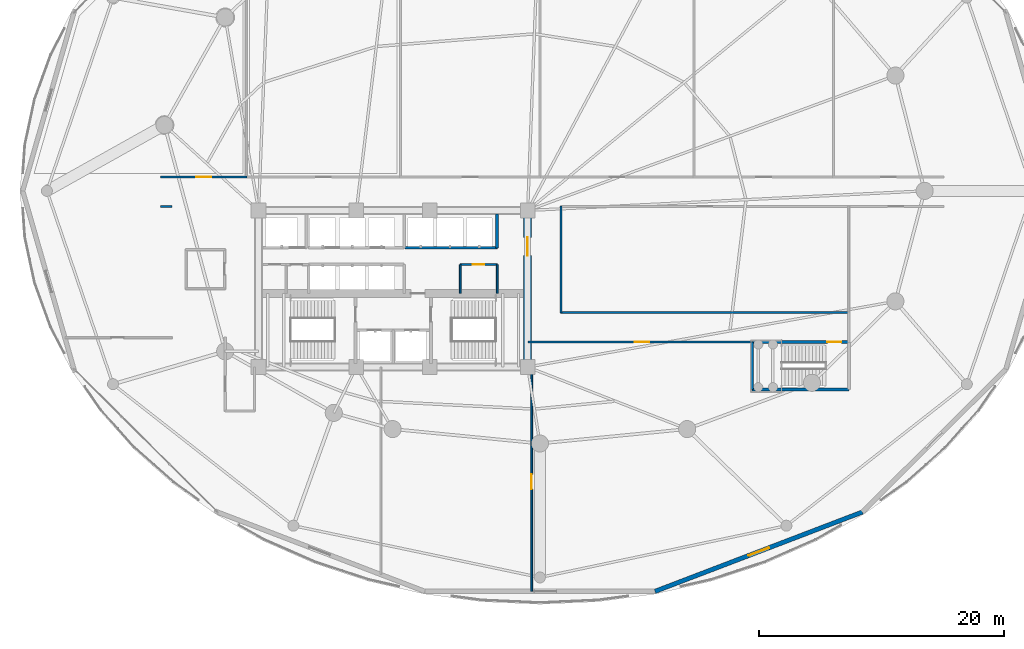
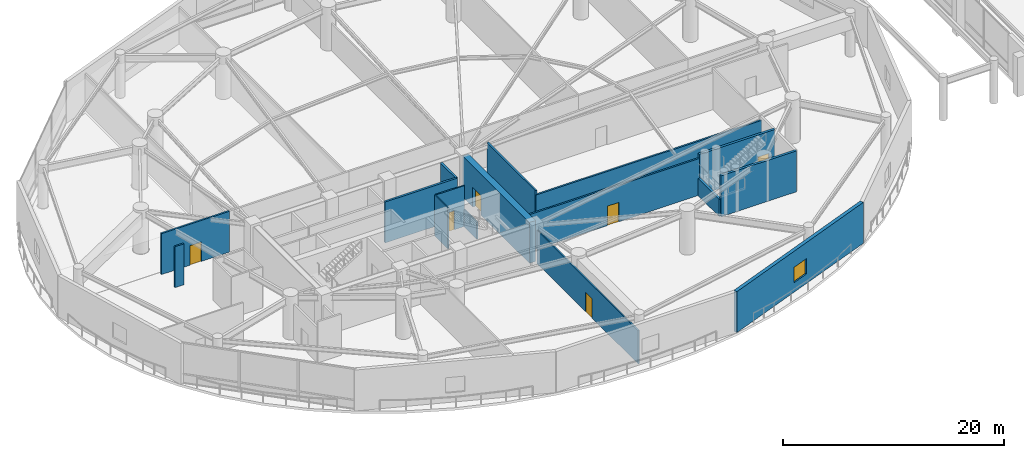
# One storey, part 28 of 36: 16 walls, 6 doors, 1 window, 7 openings.
"""IFC4 building model written with IfcOpenShell, lengths in metres."""

from ifc_helpers import new_model, si_unit, direction, frame, frame_2d, origin, place, context, subcontext, project, spatial, rectangle, extrude, material, layer, layer_set, type_object, element, fill, save


model = new_model("IFC4")

# Units and contexts
model_context = context("Model", 3, precision=1e-05, world=origin(), true_north=direction((0.0, 1.0)))
body_context = subcontext(model_context, "Body", "Model", "MODEL_VIEW")
ifc_project = project(units=[si_unit("LENGTHUNIT", "METRE"), si_unit("AREAUNIT", "SQUARE_METRE"), si_unit("VOLUMEUNIT", "CUBIC_METRE"), si_unit("PLANEANGLEUNIT", "RADIAN"), si_unit("MASSUNIT", "GRAM", prefix="KILO")], contexts=[model_context])

# Site, building, storey
site_placement = place(None, origin())
site = spatial("IfcSite", under=ifc_project, at=site_placement, CompositionType="ELEMENT")
building_placement = place(site_placement, origin())
building = spatial("IfcBuilding", under=site, at=building_placement, Name="Kazevale Care Tower and Concert Hall", CompositionType="ELEMENT")
storey_placement = place(building_placement, frame((0.0, 0.0, 14.39990234375)))
storey = spatial("IfcBuildingStorey", under=building, at=storey_placement, Name="L03", CompositionType="ELEMENT", Elevation=14.39990234375)

# Walls
ifc_material_1 = material(Name="Acoustic Gypsum on Steel Stud", Category="steel")
ifc_layer_1 = layer(ifc_material_1, 0.139892578125)
ifc_layer_set_1 = layer_set([ifc_layer_1], Name="Acoustic Gypsum on Steel Stud")
wall_type_1 = type_object("IfcWallType", Name="Acoustic Care & Suite Partition 140", PredefinedType="PARTITIONING", material=ifc_layer_set_1)
wall_1_placement = place(storey_placement, frame((38.47998046875, 29.6201171875, 0.0), z_axis=(0.0, 0.0, 1.0), x_axis=(0.0, 1.0, 0.0)))
element("IfcWall", 1, at=wall_1_placement, inside=storey, type_object=wall_type_1, Name="wall:L03:kb_ew", PredefinedType="PARTITIONING", context=body_context, shape_type="SweptSolid", body=[
    extrude(rectangle(XDim=2.35986328125, YDim=0.139892578125, at=frame_2d((1.179931640625, 0.0))), origin(), (0.0, 0.0, 1.0), 4.52001953125),
])
wall_2_placement = place(storey_placement, frame((41.52001953125, 29.6201171875, 0.0), z_axis=(0.0, 0.0, 1.0), x_axis=(0.0, 1.0, 0.0)))
element("IfcWall", 2, at=wall_2_placement, inside=storey, type_object=wall_type_1, Name="wall:L03:kb_ee", PredefinedType="PARTITIONING", context=body_context, shape_type="SweptSolid", body=[
    extrude(rectangle(XDim=2.35986328125, YDim=0.139892578125, at=frame_2d((1.179931640625, 0.0))), origin(), (0.0, 0.0, 1.0), 1.88720703125),
])

# Wall, opening, door
wall_3_placement = place(storey_placement, frame((38.47998046875, 31.97998046875, 0.0), z_axis=(0.0, 0.0, 1.0), x_axis=(1.0, 0.0, 0.0)))
wall_3 = element("IfcWall", 3, at=wall_3_placement, inside=storey, type_object=wall_type_1, Name="wall:L03:kb_en", PredefinedType="PARTITIONING", context=body_context, shape_type="SweptSolid", body=[
    extrude(rectangle(XDim=3.0400390625, YDim=0.139892578125, at=frame_2d((1.52001953125, 0.0))), origin(), (0.0, 0.0, 1.0), 4.52001953125),
])
opening_1_placement = place(wall_3_placement, frame((1.044921875, 0.0, 0.0)))
opening_1 = element("IfcOpeningElement", 4, at=opening_1_placement, cuts=wall_3, Name="Opening ID-900", PredefinedType="OPENING", context=body_context, shape_type="SweptSolid", body=[
    extrude(rectangle(XDim=0.919921875, YDim=2.10009765625, at=frame_2d((0.4599609375, 1.050048828125))), frame((0.0, 0.079833984375, 0.0), z_axis=(0.0, -1.0, 0.0), x_axis=(1.0, 0.0, 0.0)), (0.0, 0.0, 1.0), 0.159912109375),
])
ifc_material_2 = material(Name="Oak Timber Fire Leaf", Category="wood")
door_type_1 = type_object("IfcDoorType", Name="Bathroom & Service Door 920x2100", OperationType="NOTDEFINED", PredefinedType="DOOR", material=ifc_material_2)
door_1_placement = place(opening_1_placement, origin())
door_1 = element("IfcDoor", 5, at=door_1_placement, inside=storey, type_object=door_type_1, Name="door:L03:d_kbe", OperationType="SINGLE_SWING_LEFT", OverallHeight=2.10009765625, OverallWidth=0.919921875, PredefinedType="DOOR", context=body_context, shape_type="SweptSolid", body=[
    extrude(rectangle(XDim=0.919921875, YDim=2.10009765625, at=frame_2d((0.4599609375, 1.050048828125))), frame((0.0, 0.02490234375, 0.0), z_axis=(0.0, -1.0, 0.0), x_axis=(1.0, 0.0, 0.0)), (0.0, 0.0, 1.0), 0.050048828125),
])
fill(opening_1, door_1)

wall_4_placement = place(storey_placement, frame((44.324951171875, 5.27197265625, 0.0), z_axis=(0.0, 0.0, 1.0), x_axis=(0.0, 1.0, 0.0)))
wall_4 = element("IfcWall", 6, at=wall_4_placement, inside=storey, type_object=wall_type_1, Name="wall:L03:auto_022", PredefinedType="PARTITIONING", context=body_context, shape_type="SweptSolid", body=[
    extrude(rectangle(XDim=18.318115234375, YDim=0.139892578125, at=frame_2d((9.1591796875, 0.0))), origin(), (0.0, 0.0, 1.0), 3.66015625),
])
opening_2_placement = place(wall_4_placement, frame((8.34912109375, 0.0, 0.0)))
opening_2 = element("IfcOpeningElement", 7, at=opening_2_placement, cuts=wall_4, Name="Opening ID-1200", PredefinedType="OPENING", context=body_context, shape_type="SweptSolid", body=[
    extrude(rectangle(XDim=1.199951171875, YDim=2.14990234375, at=frame_2d((0.60009765625, 1.074951171875))), frame((0.0, 0.079833984375, 0.0), z_axis=(0.0, -1.0, 0.0), x_axis=(1.0, 0.0, 0.0)), (0.0, 0.0, 1.0), 0.159912109375),
])
door_type_2 = type_object("IfcDoorType", Name="Clinical & Therapy Door 1200x2150", OperationType="NOTDEFINED", PredefinedType="DOOR", material=ifc_material_2)
door_2_placement = place(opening_2_placement, origin())
door_2 = element("IfcDoor", 8, at=door_2_placement, inside=storey, type_object=door_type_2, Name="door:L03:ad_022", OperationType="SINGLE_SWING_LEFT", OverallHeight=2.14990234375, OverallWidth=1.199951171875, PredefinedType="DOOR", context=body_context, shape_type="SweptSolid", body=[
    extrude(rectangle(XDim=1.199951171875, YDim=2.14990234375, at=frame_2d((0.60009765625, 1.074951171875))), frame((0.0, 0.02490234375, 0.0), z_axis=(0.0, -1.0, 0.0), x_axis=(1.0, 0.0, 0.0)), (0.0, 0.0, 1.0), 0.050048828125),
])
fill(opening_2, door_2)

ifc_material_3 = material(Name="Concrete C70", Category="concrete")
ifc_layer_2 = layer(ifc_material_3, 0.64990234375)
ifc_layer_set_2 = layer_set([ifc_layer_2], Name="Concrete C70")
wall_type_2 = type_object("IfcWallType", Name="Core Shear Wall 650 C70", PredefinedType="SHEAR", material=ifc_layer_set_2)
wall_5_placement = place(storey_placement, frame((44.0, 23.925048828125, 0.0), z_axis=(0.0, 0.0, 1.0), x_axis=(0.0, 1.0, 0.0)))
wall_5 = element("IfcWall", 9, at=wall_5_placement, inside=storey, type_object=wall_type_2, Name="wall:L03:core:E", PredefinedType="SHEAR", context=body_context, shape_type="SweptSolid", body=[
    extrude(rectangle(XDim=12.14990234375, YDim=0.64990234375, at=frame_2d((6.074951171875, 0.0))), origin(), (0.0, 0.0, 1.0), 4.52001953125),
])
opening_3_placement = place(wall_5_placement, frame((8.77490234375, 0.0, 0.0)))
opening_3 = element("IfcOpeningElement", 10, at=opening_3_placement, cuts=wall_5, Name="Opening FD-60D", PredefinedType="OPENING", context=body_context, shape_type="SweptSolid", body=[
    extrude(rectangle(XDim=1.5, YDim=2.14990234375, at=frame_2d((0.75, 1.074951171875))), frame((0.0, 0.3349609375, 0.0), z_axis=(0.0, -1.0, 0.0), x_axis=(1.0, 0.0, 0.0)), (0.0, 0.0, 1.0), 0.669921875),
])
door_type_3 = type_object("IfcDoorType", Name="Double Lobby & Auditorium Fire Door 1500x2150", OperationType="NOTDEFINED", PredefinedType="DOOR", material=ifc_material_2)
door_3_placement = place(opening_3_placement, origin())
door_3 = element("IfcDoor", 11, at=door_3_placement, inside=storey, type_object=door_type_3, Name="door:L03:core_east_out", OperationType="DOUBLE_DOOR_SINGLE_SWING", OverallHeight=2.14990234375, OverallWidth=1.5, PredefinedType="DOOR", context=body_context, shape_type="SweptSolid", body=[
    extrude(rectangle(XDim=1.5, YDim=2.14990234375, at=frame_2d((0.75, 1.074951171875))), frame((0.0, 0.02490234375, 0.0), z_axis=(0.0, -1.0, 0.0), x_axis=(1.0, 0.0, 0.0)), (0.0, 0.0, 1.0), 0.050048828125),
])
fill(opening_3, door_3)

# Walls
ifc_material_4 = material(Name="Concrete C40", Category="concrete")
ifc_layer_3 = layer(ifc_material_4, 0.219970703125)
ifc_layer_set_3 = layer_set([ifc_layer_3], Name="Concrete C40")
wall_type_3 = type_object("IfcWallType", Name="Elevator Hoistway Shaft Wall 220", PredefinedType="SOLIDWALL", material=ifc_layer_set_3)
wall_6_placement = place(storey_placement, frame((33.97998046875, 33.35009765625, 0.0), z_axis=(0.0, 0.0, 1.0), x_axis=(1.0, 0.0, 0.0)))
element("IfcWall", 12, at=wall_6_placement, inside=storey, type_object=wall_type_3, Name="wall:L03:c_pm_s", PredefinedType="SOLIDWALL", context=body_context, shape_type="SweptSolid", body=[
    extrude(rectangle(XDim=7.5400390625, YDim=0.219970703125, at=frame_2d((3.77001953125, 0.0))), origin(), (0.0, 0.0, 1.0), 4.52001953125),
])
wall_7_placement = place(storey_placement, frame((41.5, 33.35009765625, 0.0), z_axis=(0.0, 0.0, 1.0), x_axis=(0.0, 1.0, 0.0)))
element("IfcWall", 13, at=wall_7_placement, inside=storey, type_object=wall_type_3, Name="wall:L03:c_pm_e", PredefinedType="SOLIDWALL", context=body_context, shape_type="SweptSolid", body=[
    extrude(rectangle(XDim=2.75, YDim=0.219970703125, at=frame_2d((1.375, 0.0))), origin(), (0.0, 0.0, 1.0), 4.52001953125),
])

# Wall, opening, door
ifc_material_5 = material(Name="Concrete C40 and Acoustic Gypsum", Category="concrete")
ifc_layer_4 = layer(ifc_material_5, 0.179931640625)
ifc_layer_set_4 = layer_set([ifc_layer_4], Name="Concrete C40 and Acoustic Gypsum")
wall_type_4 = type_object("IfcWallType", Name="Fire-Rated Corridor & Party Wall 180", PredefinedType="PARTITIONING", material=ifc_layer_set_4)
wall_8_placement = place(storey_placement, frame((13.969970703125, 39.125, 0.0), z_axis=(0.0, 0.0, 1.0), x_axis=(1.0, 0.0, 0.0)))
wall_8 = element("IfcWall", 14, at=wall_8_placement, inside=storey, type_object=wall_type_4, Name="wall:L03:auto_001", PredefinedType="PARTITIONING", context=body_context, shape_type="SweptSolid", body=[
    extrude(rectangle(XDim=7.094970703125, YDim=0.179931640625, at=frame_2d((3.54736328125, 0.0))), origin(), (0.0, 0.0, 1.0), 4.52001953125),
])
opening_4_placement = place(wall_8_placement, frame((2.947021484375, 0.0, 0.0)))
opening_4 = element("IfcOpeningElement", 15, at=opening_4_placement, cuts=wall_8, Name="Opening ID-1200", PredefinedType="OPENING", context=body_context, shape_type="SweptSolid", body=[
    extrude(rectangle(XDim=1.199951171875, YDim=2.14990234375, at=frame_2d((0.60009765625, 1.074951171875))), frame((0.0, 0.099853515625, 0.0), z_axis=(0.0, -1.0, 0.0), x_axis=(1.0, 0.0, 0.0)), (0.0, 0.0, 1.0), 0.199951171875),
])
door_4_placement = place(opening_4_placement, origin())
door_4 = element("IfcDoor", 16, at=door_4_placement, inside=storey, type_object=door_type_2, Name="door:L03:ad_001", OperationType="SINGLE_SWING_LEFT", OverallHeight=2.14990234375, OverallWidth=1.199951171875, PredefinedType="DOOR", context=body_context, shape_type="SweptSolid", body=[
    extrude(rectangle(XDim=1.199951171875, YDim=2.14990234375, at=frame_2d((0.60009765625, 1.074951171875))), frame((0.0, 0.02490234375, 0.0), z_axis=(0.0, -1.0, 0.0), x_axis=(1.0, 0.0, 0.0)), (0.0, 0.0, 1.0), 0.050048828125),
])
fill(opening_4, door_4)

wall_9_placement = place(storey_placement, frame((62.4150390625, 25.64990234375, 0.0), z_axis=(0.0, 0.0, 1.0), x_axis=(-1.0, 0.0, 0.0)))
wall_9 = element("IfcWall", 17, at=wall_9_placement, inside=storey, type_object=wall_type_4, Name="wall:L03:auto_007", PredefinedType="PARTITIONING", context=body_context, shape_type="SweptSolid", body=[
    extrude(rectangle(XDim=18.405029296875, YDim=0.179931640625, at=frame_2d((9.20263671875, 0.0))), origin(), (0.0, 0.0, 1.0), 4.050048828125),
])
opening_5_placement = place(wall_9_placement, frame((8.4599609375, 0.0, 0.0)))
opening_5 = element("IfcOpeningElement", 18, at=opening_5_placement, cuts=wall_9, Name="Opening ID-1200", PredefinedType="OPENING", context=body_context, shape_type="SweptSolid", body=[
    extrude(rectangle(XDim=1.199951171875, YDim=2.14990234375, at=frame_2d((0.60009765625, 1.074951171875))), frame((0.0, 0.099853515625, 0.0), z_axis=(0.0, -1.0, 0.0), x_axis=(1.0, 0.0, 0.0)), (0.0, 0.0, 1.0), 0.199951171875),
])
door_5_placement = place(opening_5_placement, origin())
door_5 = element("IfcDoor", 19, at=door_5_placement, inside=storey, type_object=door_type_2, Name="door:L03:ad_007", OperationType="SINGLE_SWING_LEFT", OverallHeight=2.14990234375, OverallWidth=1.199951171875, PredefinedType="DOOR", context=body_context, shape_type="SweptSolid", body=[
    extrude(rectangle(XDim=1.199951171875, YDim=2.14990234375, at=frame_2d((0.60009765625, 1.074951171875))), frame((0.0, 0.02490234375, 0.0), z_axis=(0.0, -1.0, 0.0), x_axis=(1.0, 0.0, 0.0)), (0.0, 0.0, 1.0), 0.050048828125),
])
fill(opening_5, door_5)

# Walls
wall_10_placement = place(storey_placement, frame((46.695068359375, 28.050048828125, 0.0), z_axis=(0.0, 0.0, 1.0), x_axis=(1.0, 0.0, 0.0)))
element("IfcWall", 20, at=wall_10_placement, inside=storey, type_object=wall_type_4, Name="wall:L03:auto_009", PredefinedType="PARTITIONING", context=body_context, shape_type="SweptSolid", body=[
    extrude(rectangle(XDim=23.5849609375, YDim=0.179931640625, at=frame_2d((11.79248046875, 0.0))), origin(), (0.0, 0.0, 1.0), 4.050048828125),
])
wall_11_placement = place(storey_placement, frame((46.72509765625, 36.7548828125, 0.0), z_axis=(0.0, 0.0, 1.0), x_axis=(0.0, -1.0, 0.0)))
element("IfcWall", 21, at=wall_11_placement, inside=storey, type_object=wall_type_4, Name="wall:L03:auto_010", PredefinedType="PARTITIONING", context=body_context, shape_type="SweptSolid", body=[
    extrude(rectangle(XDim=8.73486328125, YDim=0.179931640625, at=frame_2d((4.367431640625, 0.0))), origin(), (0.0, 0.0, 1.0), 4.52001953125),
])
wall_12_placement = place(storey_placement, frame((14.93994140625, 36.72509765625, 0.0), z_axis=(0.0, 0.0, 1.0), x_axis=(-1.0, 0.0, 0.0)))
element("IfcWall", 22, at=wall_12_placement, inside=storey, type_object=wall_type_4, Name="wall:L03:auto_016", PredefinedType="PARTITIONING", context=body_context, shape_type="SweptSolid", body=[
    extrude(rectangle(XDim=0.969970703125, YDim=0.179931640625, at=frame_2d((0.48486328125, 0.0))), origin(), (0.0, 0.0, 1.0), 4.52001953125),
])

# Wall, opening, window
ifc_material_6 = material(Name="Concrete C40 with Honed Limestone Cladding", Category="masonry")
ifc_layer_5 = layer(ifc_material_6, 0.360107421875)
ifc_layer_set_5 = layer_set([ifc_layer_5], Name="Concrete C40 with Honed Limestone Cladding")
wall_type_5 = type_object("IfcWallType", Name="Podium Insulated Limestone Wall 360", PredefinedType="STANDARD", material=ifc_layer_set_5)
wall_13_placement = place(storey_placement, frame((54.407958984375, 5.261962890625, 0.0), z_axis=(0.0, 0.0, 1.0), x_axis=(0.934014086565, 0.357236176917, 0.0)))
wall_13 = element("IfcWall", 23, at=wall_13_placement, inside=storey, type_object=wall_type_5, Name="wall:L03:podew:12", PredefinedType="STANDARD", context=body_context, shape_type="SweptSolid", body=[
    extrude(rectangle(XDim=18.15087890625, YDim=0.360107421875, at=frame_2d((9.075439453125, 0.0))), origin(), (0.0, 0.0, 1.0), 4.52001953125),
])
opening_6_placement = place(wall_13_placement, frame((8.175048828125, 0.0, 1.050048828125)))
opening_6 = element("IfcOpeningElement", 24, at=opening_6_placement, cuts=wall_13, Name="Opening WIN-2", PredefinedType="OPENING", context=body_context, shape_type="SweptSolid", body=[
    extrude(rectangle(XDim=1.800048828125, YDim=1.699951171875, at=frame_2d((0.89990234375, 0.85009765625))), frame((0.0, 0.18994140625, 0.0), z_axis=(0.0, -1.0, 0.0), x_axis=(1.0, 0.0, 0.0)), (0.0, 0.0, 1.0), 0.380126953125),
])
ifc_material_7 = material(Name="Low-E Laminated Glass", Category="glass")
window_type = type_object("IfcWindowType", Name="Clinical Punched Window 1800x1700", PartitioningType="DOUBLE_PANEL_VERTICAL", PredefinedType="WINDOW", material=ifc_material_7)
window_placement = place(opening_6_placement, origin())
window = element("IfcWindow", 25, at=window_placement, inside=storey, type_object=window_type, Name="win:L03:pod:12", OverallHeight=1.699951171875, OverallWidth=1.800048828125, PartitioningType="SINGLE_PANEL", PredefinedType="WINDOW", context=body_context, shape_type="SweptSolid", body=[
    extrude(rectangle(XDim=1.800048828125, YDim=1.699951171875, at=frame_2d((0.89990234375, 0.85009765625))), frame((0.0, 0.030029296875, 0.0), z_axis=(0.0, -1.0, 0.0), x_axis=(1.0, 0.0, 0.0)), (0.0, 0.0, 1.0), 0.06005859375),
])
fill(opening_6, window)

# Wall, opening, door
ifc_layer_6 = layer(ifc_material_4, 0.25)
ifc_layer_set_6 = layer_set([ifc_layer_6], Name="Concrete C40")
wall_type_6 = type_object("IfcWallType", Name="Pressurized Stair Shaft Wall 250", PredefinedType="SOLIDWALL", material=ifc_layer_set_6)
wall_14_placement = place(storey_placement, frame((62.35009765625, 25.64990234375, 0.0), z_axis=(0.0, 0.0, 1.0), x_axis=(1.0, 0.0, 0.0)))
wall_14 = element("IfcWall", 26, at=wall_14_placement, inside=storey, type_object=wall_type_6, Name="wall:L03:pod_st3_n", PredefinedType="SOLIDWALL", context=body_context, shape_type="SweptSolid", body=[
    extrude(rectangle(XDim=7.89990234375, YDim=0.25, at=frame_2d((3.949951171875, 0.0))), origin(), (0.0, 0.0, 1.0), 4.52001953125),
])
opening_7_placement = place(wall_14_placement, frame((6.139892578125, 0.0, 0.0)))
opening_7 = element("IfcOpeningElement", 27, at=opening_7_placement, cuts=wall_14, Name="Opening FD-90", PredefinedType="OPENING", context=body_context, shape_type="SweptSolid", body=[
    extrude(rectangle(XDim=1.14990234375, YDim=2.10009765625, at=frame_2d((0.574951171875, 1.050048828125))), frame((0.0, 0.135009765625, 0.0), z_axis=(0.0, -1.0, 0.0), x_axis=(1.0, 0.0, 0.0)), (0.0, 0.0, 1.0), 0.27001953125),
])
ifc_material_8 = material(Name="Steel ASTM A572 Gr 50", Category="steel")
door_type_4 = type_object("IfcDoorType", Name="Pressurized Stair & Lobby Fire Door 1150x2100", OperationType="NOTDEFINED", PredefinedType="DOOR", material=ifc_material_8)
door_6_placement = place(opening_7_placement, origin())
door_6 = element("IfcDoor", 28, at=door_6_placement, inside=storey, type_object=door_type_4, Name="door:L03:pod_st3d", OperationType="SINGLE_SWING_LEFT", OverallHeight=2.10009765625, OverallWidth=1.14990234375, PredefinedType="DOOR", context=body_context, shape_type="SweptSolid", body=[
    extrude(rectangle(XDim=1.14990234375, YDim=2.10009765625, at=frame_2d((0.574951171875, 1.050048828125))), frame((0.0, 0.02490234375, 0.0), z_axis=(0.0, -1.0, 0.0), x_axis=(1.0, 0.0, 0.0)), (0.0, 0.0, 1.0), 0.050048828125),
])
fill(opening_7, door_6)

# Walls
wall_15_placement = place(storey_placement, frame((62.35009765625, 21.75, 0.0), z_axis=(0.0, 0.0, 1.0), x_axis=(1.0, 0.0, 0.0)))
element("IfcWall", 29, at=wall_15_placement, inside=storey, type_object=wall_type_6, Name="wall:L03:pod_st3_s", PredefinedType="SOLIDWALL", context=body_context, shape_type="SweptSolid", body=[
    extrude(rectangle(XDim=7.89990234375, YDim=0.25, at=frame_2d((3.949951171875, 0.0))), origin(), (0.0, 0.0, 1.0), 4.52001953125),
])
wall_16_placement = place(storey_placement, frame((62.35009765625, 21.75, 0.0), z_axis=(0.0, 0.0, 1.0), x_axis=(0.0, 1.0, 0.0)))
element("IfcWall", 30, at=wall_16_placement, inside=storey, type_object=wall_type_6, Name="wall:L03:pod_st3_w", PredefinedType="SOLIDWALL", context=body_context, shape_type="SweptSolid", body=[
    extrude(rectangle(XDim=3.89990234375, YDim=0.25, at=frame_2d((1.949951171875, 0.0))), origin(), (0.0, 0.0, 1.0), 1.88720703125),
])

save(model, "model.ifc")
